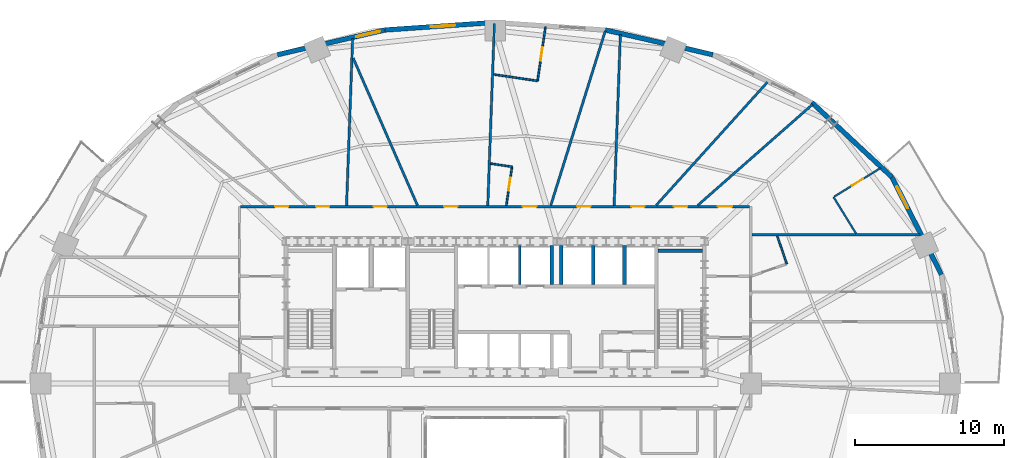
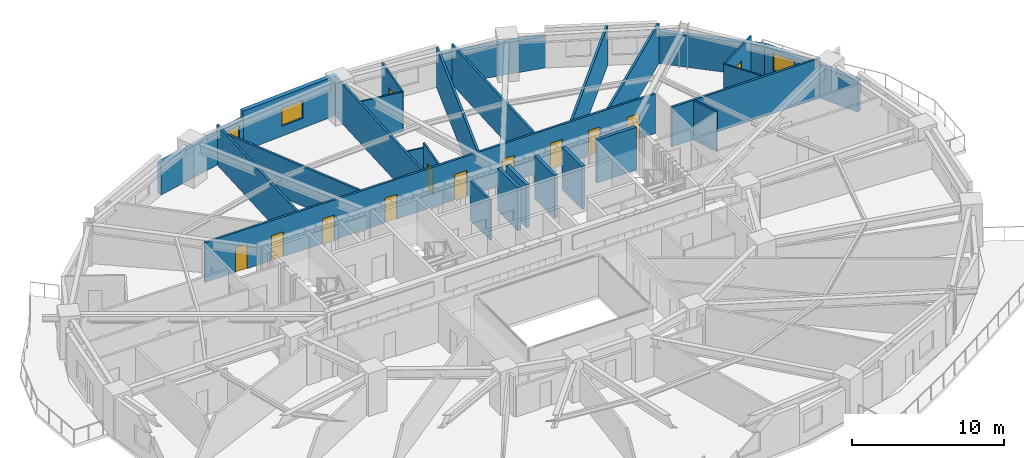
# One storey, part 13 of 18: 27 walls, 12 doors, 3 windows, 15 openings.
"""IFC4 building model written with IfcOpenShell, lengths in metres."""

from ifc_helpers import new_model, si_unit, direction, frame, frame_2d, origin, place, context, subcontext, project, spatial, rectangle, extrude, material, layer, layer_set, type_object, element, fill, save


model = new_model("IFC4")

# Units and contexts
model_context = context("Model", 3, precision=1e-05, world=origin(), true_north=direction((0.0, 1.0)))
body_context = subcontext(model_context, "Body", "Model", "MODEL_VIEW")
ifc_project = project(units=[si_unit("LENGTHUNIT", "METRE"), si_unit("AREAUNIT", "SQUARE_METRE"), si_unit("VOLUMEUNIT", "CUBIC_METRE"), si_unit("PLANEANGLEUNIT", "RADIAN"), si_unit("MASSUNIT", "GRAM", prefix="KILO")], contexts=[model_context])

# Site, building, storey
site_placement = place(None, origin())
site = spatial("IfcSite", under=ifc_project, at=site_placement, CompositionType="ELEMENT")
building_placement = place(site_placement, origin())
building = spatial("IfcBuilding", under=site, at=building_placement, Name="Haldorwick Loom Tower", CompositionType="ELEMENT")
storey_placement = place(building_placement, frame((0.0, 0.0, 41.25)))
storey = spatial("IfcBuildingStorey", under=building, at=storey_placement, Name="L10", CompositionType="ELEMENT", Elevation=41.25)

# Wall, opening, window
ifc_material_1 = material(Name="Pressed Clay Face Brick and Insulated Masonry Backup Assembly", Category="masonry")
ifc_layer_1 = layer(ifc_material_1, 0.320068359375, Name="Pressed Clay Face Brick and Insulated Masonry Backup Assembly", Category="masonry")
ifc_layer_set_1 = layer_set([ifc_layer_1], Name="Pressed Clay Face Brick and Insulated Masonry Backup Assembly")
wall_type_1 = type_object("IfcWallType", Name="ARC-WL-EXT320", PredefinedType="STANDARD", material=ifc_layer_set_1)
wall_1_placement = place(storey_placement, frame((66.021728515625, 33.320556640625, 0.0), z_axis=(0.0, 0.0, 1.0), x_axis=(-0.452950855928, 0.891535485617, 0.0)))
wall_1 = element("IfcWall", 1, at=wall_1_placement, inside=storey, type_object=wall_type_1, Name="L10 Brick Pier and Spandrel Wall 2", PredefinedType="STANDARD", context=body_context, shape_type="SweptSolid", body=[
    extrude(rectangle(XDim=7.3583984375, YDim=0.320068359375, at=frame_2d((3.67919921875, 0.0))), origin(), (0.0, 0.0, 1.0), 2.569091796875),
])
opening_1_placement = place(wall_1_placement, frame((5.00927734375, 0.0, 0.800048828125)))
opening_1 = element("IfcOpeningElement", 2, at=opening_1_placement, cuts=wall_1, Name="Opening W-01B", PredefinedType="OPENING", context=body_context, shape_type="SweptSolid", body=[
    extrude(rectangle(XDim=1.64990234375, YDim=1.449951171875, at=frame_2d((0.824951171875, 0.72509765625))), frame((0.0, 0.169921875, 0.0), z_axis=(0.0, -1.0, 0.0), x_axis=(1.0, 0.0, 0.0)), (0.0, 0.0, 1.0), 0.340087890625),
])
ifc_material_2 = material(Name="Triple-Glazed Low-E Argon Insulated Glazing Unit", Category="glass")
window_type = type_object("IfcWindowType", Name="ARC-WIN-W165", PartitioningType="SINGLE_PANEL", PredefinedType="WINDOW", material=ifc_material_2)
window_1_placement = place(opening_1_placement, origin())
window_1 = element("IfcWindow", 3, at=window_1_placement, inside=storey, type_object=window_type, Name="L10 Deep-Set Zone 7A Window 2", OverallHeight=1.449951171875, OverallWidth=1.64990234375, PartitioningType="SINGLE_PANEL", PredefinedType="WINDOW", context=body_context, shape_type="SweptSolid", body=[
    extrude(rectangle(XDim=1.64990234375, YDim=1.449951171875, at=frame_2d((0.824951171875, 0.72509765625))), frame((0.0, 0.030029296875, 0.0), z_axis=(0.0, -1.0, 0.0), x_axis=(1.0, 0.0, 0.0)), (0.0, 0.0, 1.0), 0.06005859375),
])
fill(opening_1, window_1)

# Walls
wall_2_placement = place(storey_placement, frame((62.688720703125, 39.880859375, 0.0), z_axis=(0.0, 0.0, 1.0), x_axis=(-0.73176101237, 0.681561311091, 0.0)))
element("IfcWall", 4, at=wall_2_placement, inside=storey, type_object=wall_type_1, Name="L10 Brick Pier and Spandrel Wall 3", PredefinedType="STANDARD", context=body_context, shape_type="SweptSolid", body=[
    extrude(rectangle(XDim=7.3583984375, YDim=0.320068359375, at=frame_2d((3.67919921875, 0.0))), origin(), (0.0, 0.0, 1.0), 2.569091796875),
])
wall_3_placement = place(storey_placement, frame((50.644775390625, 48.11572265625, 0.0), z_axis=(0.0, 0.0, 1.0), x_axis=(-0.974522412345, 0.224290142088, 0.0)))
element("IfcWall", 5, at=wall_3_placement, inside=storey, type_object=wall_type_1, Name="L10 Brick Pier and Spandrel Wall 5", PredefinedType="STANDARD", context=body_context, shape_type="SweptSolid", body=[
    extrude(rectangle(XDim=7.422607421875, YDim=0.320068359375, at=frame_2d((3.71142578125, 0.0))), origin(), (0.0, 0.0, 1.0), 2.569091796875),
])

# Wall, opening, window
wall_4_placement = place(storey_placement, frame((36.0, 50.2900390625, 0.0), z_axis=(0.0, 0.0, 1.0), x_axis=(-0.997645161917, -0.068586667092, 0.0)))
wall_4 = element("IfcWall", 6, at=wall_4_placement, inside=storey, type_object=wall_type_1, Name="L10 Brick Pier and Spandrel Wall 7", PredefinedType="STANDARD", context=body_context, shape_type="SweptSolid", body=[
    extrude(rectangle(XDim=7.428955078125, YDim=0.320068359375, at=frame_2d((3.71435546875, 0.0))), origin(), (0.0, 0.0, 1.0), 3.2099609375),
])
opening_2_placement = place(wall_4_placement, frame((2.679443359375, 0.0, 0.800048828125)))
opening_2 = element("IfcOpeningElement", 7, at=opening_2_placement, cuts=wall_4, Name="Opening W-01B", PredefinedType="OPENING", context=body_context, shape_type="SweptSolid", body=[
    extrude(rectangle(XDim=1.64990234375, YDim=1.449951171875, at=frame_2d((0.824951171875, 0.72509765625))), frame((0.0, 0.169921875, 0.0), z_axis=(0.0, -1.0, 0.0), x_axis=(1.0, 0.0, 0.0)), (0.0, 0.0, 1.0), 0.340087890625),
])
window_2_placement = place(opening_2_placement, origin())
window_2 = element("IfcWindow", 8, at=window_2_placement, inside=storey, type_object=window_type, Name="L10 Deep-Set Zone 7A Window 7", OverallHeight=1.449951171875, OverallWidth=1.64990234375, PartitioningType="SINGLE_PANEL", PredefinedType="WINDOW", context=body_context, shape_type="SweptSolid", body=[
    extrude(rectangle(XDim=1.64990234375, YDim=1.449951171875, at=frame_2d((0.824951171875, 0.72509765625))), frame((0.0, 0.030029296875, 0.0), z_axis=(0.0, -1.0, 0.0), x_axis=(1.0, 0.0, 0.0)), (0.0, 0.0, 1.0), 0.06005859375),
])
fill(opening_2, window_2)

wall_5_placement = place(storey_placement, frame((28.588623046875, 49.780517578125, 0.0), z_axis=(0.0, 0.0, 1.0), x_axis=(-0.974522412345, -0.224290142088, 0.0)))
wall_5 = element("IfcWall", 9, at=wall_5_placement, inside=storey, type_object=wall_type_1, Name="L10 Brick Pier and Spandrel Wall 8", PredefinedType="STANDARD", context=body_context, shape_type="SweptSolid", body=[
    extrude(rectangle(XDim=7.422607421875, YDim=0.320068359375, at=frame_2d((3.71142578125, 0.0))), origin(), (0.0, 0.0, 1.0), 2.569091796875),
])
opening_3_placement = place(wall_5_placement, frame((0.340087890625, 0.0, 0.800048828125)))
opening_3 = element("IfcOpeningElement", 10, at=opening_3_placement, cuts=wall_5, Name="Opening W-01B", PredefinedType="OPENING", context=body_context, shape_type="SweptSolid", body=[
    extrude(rectangle(XDim=1.64990234375, YDim=1.449951171875, at=frame_2d((0.824951171875, 0.72509765625))), frame((0.0, 0.169921875, 0.0), z_axis=(0.0, -1.0, 0.0), x_axis=(1.0, 0.0, 0.0)), (0.0, 0.0, 1.0), 0.340087890625),
])
window_3_placement = place(opening_3_placement, origin())
window_3 = element("IfcWindow", 11, at=window_3_placement, inside=storey, type_object=window_type, Name="L10 Deep-Set Zone 7A Window 8", OverallHeight=1.449951171875, OverallWidth=1.64990234375, PartitioningType="SINGLE_PANEL", PredefinedType="WINDOW", context=body_context, shape_type="SweptSolid", body=[
    extrude(rectangle(XDim=1.64990234375, YDim=1.449951171875, at=frame_2d((0.824951171875, 0.72509765625))), frame((0.0, 0.030029296875, 0.0), z_axis=(0.0, -1.0, 0.0), x_axis=(1.0, 0.0, 0.0)), (0.0, 0.0, 1.0), 0.06005859375),
])
fill(opening_3, window_3)

# Wall, openings, doors
ifc_material_3 = material(Name="Fire-Rated Type X Gypsum Stud Assembly EI 60")
ifc_layer_2 = layer(ifc_material_3, 0.159912109375, Name="Fire-Rated Type X Gypsum Stud Assembly EI 60")
ifc_layer_set_2 = layer_set([ifc_layer_2], Name="Fire-Rated Type X Gypsum Stud Assembly EI 60")
wall_type_2 = type_object("IfcWallType", Name="ARC-WL-FIRE160", PredefinedType="PARTITIONING", material=ifc_layer_set_2)
wall_6_placement = place(storey_placement, frame((18.883056640625, 37.89990234375, 0.0), z_axis=(0.0, 0.0, 1.0), x_axis=(1.0, 0.0, 0.0)))
wall_6 = element("IfcWall", 12, at=wall_6_placement, inside=storey, type_object=wall_type_2, Name="L10 Residential Fire Partition L10-CR-N0", PredefinedType="PARTITIONING", context=body_context, shape_type="SweptSolid", body=[
    extrude(rectangle(XDim=34.23388671875, YDim=0.159912109375, at=frame_2d((17.116943359375, 0.0))), origin(), (0.0, 0.0, 1.0), 3.195068359375),
])
opening_4_placement = place(wall_6_placement, frame((13.685302734375, 0.0, 0.0)))
opening_4 = element("IfcOpeningElement", 13, at=opening_4_placement, cuts=wall_6, Name="Opening D-FD60A", PredefinedType="OPENING", context=body_context, shape_type="SweptSolid", body=[
    extrude(rectangle(XDim=0.89990234375, YDim=2.0, at=frame_2d((0.449951171875, 1.0))), frame((0.0, 0.08984375, 0.0), z_axis=(0.0, -1.0, 0.0), x_axis=(1.0, 0.0, 0.0)), (0.0, 0.0, 1.0), 0.179931640625),
])
opening_5_placement = place(wall_6_placement, frame((8.936767578125, 0.0, 0.0)))
opening_5 = element("IfcOpeningElement", 14, at=opening_5_placement, cuts=wall_6, Name="Opening D-FD60A", PredefinedType="OPENING", context=body_context, shape_type="SweptSolid", body=[
    extrude(rectangle(XDim=0.89990234375, YDim=2.0, at=frame_2d((0.449951171875, 1.0))), frame((0.0, 0.08984375, 0.0), z_axis=(0.0, -1.0, 0.0), x_axis=(1.0, 0.0, 0.0)), (0.0, 0.0, 1.0), 0.179931640625),
])
opening_6_placement = place(wall_6_placement, frame((22.63037109375, 0.0, 0.0)))
opening_6 = element("IfcOpeningElement", 15, at=opening_6_placement, cuts=wall_6, Name="Opening D-FD60A", PredefinedType="OPENING", context=body_context, shape_type="SweptSolid", body=[
    extrude(rectangle(XDim=0.89990234375, YDim=2.0, at=frame_2d((0.449951171875, 1.0))), frame((0.0, 0.08984375, 0.0), z_axis=(0.0, -1.0, 0.0), x_axis=(1.0, 0.0, 0.0)), (0.0, 0.0, 1.0), 0.179931640625),
])
opening_7_placement = place(wall_6_placement, frame((32.1025390625, 0.0, 0.0)))
opening_7 = element("IfcOpeningElement", 16, at=opening_7_placement, cuts=wall_6, Name="Opening D-FL95", PredefinedType="OPENING", context=body_context, shape_type="SweptSolid", body=[
    extrude(rectangle(XDim=0.949951171875, YDim=2.0400390625, at=frame_2d((0.47509765625, 1.02001953125))), frame((0.0, 0.08984375, 0.0), z_axis=(0.0, -1.0, 0.0), x_axis=(1.0, 0.0, 0.0)), (0.0, 0.0, 1.0), 0.179931640625),
])
opening_8_placement = place(wall_6_placement, frame((18.961181640625, 0.0, 0.0)))
opening_8 = element("IfcOpeningElement", 17, at=opening_8_placement, cuts=wall_6, Name="Opening D-FL95", PredefinedType="OPENING", context=body_context, shape_type="SweptSolid", body=[
    extrude(rectangle(XDim=0.949951171875, YDim=2.0400390625, at=frame_2d((0.47509765625, 1.02001953125))), frame((0.0, 0.08984375, 0.0), z_axis=(0.0, -1.0, 0.0), x_axis=(1.0, 0.0, 0.0)), (0.0, 0.0, 1.0), 0.179931640625),
])
opening_9_placement = place(wall_6_placement, frame((29.145751953125, 0.0, 0.0)))
opening_9 = element("IfcOpeningElement", 18, at=opening_9_placement, cuts=wall_6, Name="Opening D-FD60A", PredefinedType="OPENING", context=body_context, shape_type="SweptSolid", body=[
    extrude(rectangle(XDim=0.89990234375, YDim=2.0, at=frame_2d((0.449951171875, 1.0))), frame((0.0, 0.08984375, 0.0), z_axis=(0.0, -1.0, 0.0), x_axis=(1.0, 0.0, 0.0)), (0.0, 0.0, 1.0), 0.179931640625),
])
opening_10_placement = place(wall_6_placement, frame((5.071533203125, 0.0, 0.0)))
opening_10 = element("IfcOpeningElement", 19, at=opening_10_placement, cuts=wall_6, Name="Opening D-FD60A", PredefinedType="OPENING", context=body_context, shape_type="SweptSolid", body=[
    extrude(rectangle(XDim=0.89990234375, YDim=2.0, at=frame_2d((0.449951171875, 1.0))), frame((0.0, 0.08984375, 0.0), z_axis=(0.0, -1.0, 0.0), x_axis=(1.0, 0.0, 0.0)), (0.0, 0.0, 1.0), 0.179931640625),
])
opening_11_placement = place(wall_6_placement, frame((26.274658203125, 0.0, 0.0)))
opening_11 = element("IfcOpeningElement", 20, at=opening_11_placement, cuts=wall_6, Name="Opening D-FD60A", PredefinedType="OPENING", context=body_context, shape_type="SweptSolid", body=[
    extrude(rectangle(XDim=0.89990234375, YDim=2.0, at=frame_2d((0.449951171875, 1.0))), frame((0.0, 0.08984375, 0.0), z_axis=(0.0, -1.0, 0.0), x_axis=(1.0, 0.0, 0.0)), (0.0, 0.0, 1.0), 0.179931640625),
])
opening_12_placement = place(wall_6_placement, frame((2.310791015625, 0.0, 0.0)))
opening_12 = element("IfcOpeningElement", 21, at=opening_12_placement, cuts=wall_6, Name="Opening D-FD60A", PredefinedType="OPENING", context=body_context, shape_type="SweptSolid", body=[
    extrude(rectangle(XDim=0.89990234375, YDim=2.0, at=frame_2d((0.449951171875, 1.0))), frame((0.0, 0.08984375, 0.0), z_axis=(0.0, -1.0, 0.0), x_axis=(1.0, 0.0, 0.0)), (0.0, 0.0, 1.0), 0.179931640625),
])
ifc_material_4 = material(Name="Hollow Steel Fire Door Assembly", Category="steel")
door_type_1 = type_object("IfcDoorType", Name="ARC-DR-FD60-90", OperationType="NOTDEFINED", PredefinedType="DOOR", material=ifc_material_4)
door_1_placement = place(opening_4_placement, frame((0.89990234375, 0.0, 0.0), z_axis=(0.0, 0.0, 1.0), x_axis=(-1.0, 0.0, 0.0)))
door_1 = element("IfcDoor", 22, at=door_1_placement, inside=storey, type_object=door_type_1, Name="L10 Community Teaching Classroom 6 to L10 North Residential Corridor Doo", OperationType="SINGLE_SWING_LEFT", OverallHeight=2.0, OverallWidth=0.89990234375, PredefinedType="DOOR", context=body_context, shape_type="SweptSolid", body=[
    extrude(rectangle(XDim=0.89990234375, YDim=2.0, at=frame_2d((0.449951171875, 1.0))), frame((0.0, 0.02490234375, 0.0), z_axis=(0.0, -1.0, 0.0), x_axis=(1.0, 0.0, 0.0)), (0.0, 0.0, 1.0), 0.050048828125),
])
fill(opening_4, door_1)
door_2_placement = place(opening_5_placement, frame((0.89990234375, 0.0, 0.0), z_axis=(0.0, 0.0, 1.0), x_axis=(-1.0, 0.0, 0.0)))
door_2 = element("IfcDoor", 23, at=door_2_placement, inside=storey, type_object=door_type_1, Name="L10 Remote Work Office 9 to L10 North Residential Corridor Door", OperationType="SINGLE_SWING_LEFT", OverallHeight=2.0, OverallWidth=0.89990234375, PredefinedType="DOOR", context=body_context, shape_type="SweptSolid", body=[
    extrude(rectangle(XDim=0.89990234375, YDim=2.0, at=frame_2d((0.449951171875, 1.0))), frame((0.0, 0.02490234375, 0.0), z_axis=(0.0, -1.0, 0.0), x_axis=(1.0, 0.0, 0.0)), (0.0, 0.0, 1.0), 0.050048828125),
])
fill(opening_5, door_2)
door_3_placement = place(opening_6_placement, frame((0.89990234375, 0.0, 0.0), z_axis=(0.0, 0.0, 1.0), x_axis=(-1.0, 0.0, 0.0)))
door_3 = element("IfcDoor", 24, at=door_3_placement, inside=storey, type_object=door_type_1, Name="L10 Remote Work Office 11 to L10 North Residential Corridor Door", OperationType="SINGLE_SWING_RIGHT", OverallHeight=2.0, OverallWidth=0.89990234375, PredefinedType="DOOR", context=body_context, shape_type="SweptSolid", body=[
    extrude(rectangle(XDim=0.89990234375, YDim=2.0, at=frame_2d((0.449951171875, 1.0))), frame((0.0, 0.02490234375, 0.0), z_axis=(0.0, -1.0, 0.0), x_axis=(1.0, 0.0, 0.0)), (0.0, 0.0, 1.0), 0.050048828125),
])
fill(opening_6, door_3)
door_4_placement = place(opening_9_placement, frame((0.89990234375, 0.0, 0.0), z_axis=(0.0, 0.0, 1.0), x_axis=(-1.0, 0.0, 0.0)))
door_4 = element("IfcDoor", 25, at=door_4_placement, inside=storey, type_object=door_type_1, Name="L10 Shared Tea Pantry 22 to L10 North Residential Corridor Door", OperationType="SINGLE_SWING_LEFT", OverallHeight=2.0, OverallWidth=0.89990234375, PredefinedType="DOOR", context=body_context, shape_type="SweptSolid", body=[
    extrude(rectangle(XDim=0.89990234375, YDim=2.0, at=frame_2d((0.449951171875, 1.0))), frame((0.0, 0.02490234375, 0.0), z_axis=(0.0, -1.0, 0.0), x_axis=(1.0, 0.0, 0.0)), (0.0, 0.0, 1.0), 0.050048828125),
])
fill(opening_9, door_4)
door_5_placement = place(opening_10_placement, frame((0.89990234375, 0.0, 0.0), z_axis=(0.0, 0.0, 1.0), x_axis=(-1.0, 0.0, 0.0)))
door_5 = element("IfcDoor", 26, at=door_5_placement, inside=storey, type_object=door_type_1, Name="L10 Community Teaching Classroom 13 to L10 North Residential Corridor Do", OperationType="SINGLE_SWING_RIGHT", OverallHeight=2.0, OverallWidth=0.89990234375, PredefinedType="DOOR", context=body_context, shape_type="SweptSolid", body=[
    extrude(rectangle(XDim=0.89990234375, YDim=2.0, at=frame_2d((0.449951171875, 1.0))), frame((0.0, 0.02490234375, 0.0), z_axis=(0.0, -1.0, 0.0), x_axis=(1.0, 0.0, 0.0)), (0.0, 0.0, 1.0), 0.050048828125),
])
fill(opening_10, door_5)
door_6_placement = place(opening_11_placement, frame((0.89990234375, 0.0, 0.0), z_axis=(0.0, 0.0, 1.0), x_axis=(-1.0, 0.0, 0.0)))
door_6 = element("IfcDoor", 27, at=door_6_placement, inside=storey, type_object=door_type_1, Name="L10 Community Teaching Classroom 14 to L10 North Residential Corridor Do", OperationType="SINGLE_SWING_LEFT", OverallHeight=2.0, OverallWidth=0.89990234375, PredefinedType="DOOR", context=body_context, shape_type="SweptSolid", body=[
    extrude(rectangle(XDim=0.89990234375, YDim=2.0, at=frame_2d((0.449951171875, 1.0))), frame((0.0, 0.02490234375, 0.0), z_axis=(0.0, -1.0, 0.0), x_axis=(1.0, 0.0, 0.0)), (0.0, 0.0, 1.0), 0.050048828125),
])
fill(opening_11, door_6)
door_7_placement = place(opening_12_placement, frame((0.89990234375, 0.0, 0.0), z_axis=(0.0, 0.0, 1.0), x_axis=(-1.0, 0.0, 0.0)))
door_7 = element("IfcDoor", 28, at=door_7_placement, inside=storey, type_object=door_type_1, Name="L10 Shared Tea Pantry 20 to L10 North Residential Corridor Door", OperationType="SINGLE_SWING_RIGHT", OverallHeight=2.0, OverallWidth=0.89990234375, PredefinedType="DOOR", context=body_context, shape_type="SweptSolid", body=[
    extrude(rectangle(XDim=0.89990234375, YDim=2.0, at=frame_2d((0.449951171875, 1.0))), frame((0.0, 0.02490234375, 0.0), z_axis=(0.0, -1.0, 0.0), x_axis=(1.0, 0.0, 0.0)), (0.0, 0.0, 1.0), 0.050048828125),
])
fill(opening_12, door_7)
ifc_material_5 = material(Name="Solid Core Birch Architectural Door")
door_type_2 = type_object("IfcDoorType", Name="ARC-DR-FLAT95", OperationType="NOTDEFINED", PredefinedType="DOOR", material=ifc_material_5)
door_8_placement = place(opening_7_placement, frame((0.949951171875, 0.0, 0.0), z_axis=(0.0, 0.0, 1.0), x_axis=(-1.0, 0.0, 0.0)))
door_8 = element("IfcDoor", 29, at=door_8_placement, inside=storey, type_object=door_type_2, Name="L10 Unit 10E Kitchen and Studio Living Room to L10 North Residential Cor", OperationType="SINGLE_SWING_RIGHT", OverallHeight=2.0400390625, OverallWidth=0.949951171875, PredefinedType="DOOR", context=body_context, shape_type="SweptSolid", body=[
    extrude(rectangle(XDim=0.949951171875, YDim=2.0400390625, at=frame_2d((0.47509765625, 1.02001953125))), frame((0.0, 0.02490234375, 0.0), z_axis=(0.0, -1.0, 0.0), x_axis=(1.0, 0.0, 0.0)), (0.0, 0.0, 1.0), 0.050048828125),
])
fill(opening_7, door_8)
door_9_placement = place(opening_8_placement, frame((0.949951171875, 0.0, 0.0), z_axis=(0.0, 0.0, 1.0), x_axis=(-1.0, 0.0, 0.0)))
door_9 = element("IfcDoor", 30, at=door_9_placement, inside=storey, type_object=door_type_2, Name="L10 Unit 10G Kitchen and Living Room to L10 North Residential Corridor D", OperationType="SINGLE_SWING_RIGHT", OverallHeight=2.0400390625, OverallWidth=0.949951171875, PredefinedType="DOOR", context=body_context, shape_type="SweptSolid", body=[
    extrude(rectangle(XDim=0.949951171875, YDim=2.0400390625, at=frame_2d((0.47509765625, 1.02001953125))), frame((0.0, 0.02490234375, 0.0), z_axis=(0.0, -1.0, 0.0), x_axis=(1.0, 0.0, 0.0)), (0.0, 0.0, 1.0), 0.050048828125),
])
fill(opening_8, door_9)

# Walls
wall_7_placement = place(storey_placement, frame((26.0029296875, 37.98291015625, 0.0), z_axis=(0.0, 0.0, 1.0), x_axis=(0.036390507354, 0.999337646131, 0.0)))
element("IfcWall", 31, at=wall_7_placement, inside=storey, type_object=wall_type_2, Name="L10 Residential Fire Partition L10-UPN-12", PredefinedType="PARTITIONING", context=body_context, shape_type="SweptSolid", body=[
    extrude(rectangle(XDim=11.2373046875, YDim=0.159912109375, at=frame_2d((5.61865234375, 0.0))), origin(), (0.0, 0.0, 1.0), 3.195068359375),
])
wall_8_placement = place(storey_placement, frame((35.5029296875, 37.98291015625, 0.0), z_axis=(0.0, 0.0, 1.0), x_axis=(0.036382694768, 0.999337930593, 0.0)))
element("IfcWall", 32, at=wall_8_placement, inside=storey, type_object=wall_type_2, Name="L10 Residential Fire Partition L10-UPN-13", PredefinedType="PARTITIONING", context=body_context, shape_type="SweptSolid", body=[
    extrude(rectangle(XDim=12.246337890625, YDim=0.159912109375, at=frame_2d((6.123046875, 0.0))), origin(), (0.0, 0.0, 1.0), 3.195068359375),
])
wall_9_placement = place(storey_placement, frame((44.0029296875, 37.98291015625, 0.0), z_axis=(0.0, 0.0, 1.0), x_axis=(0.036368899796, 0.999338432728, 0.0)))
element("IfcWall", 33, at=wall_9_placement, inside=storey, type_object=wall_type_2, Name="L10 Residential Fire Partition L10-UPN-14", PredefinedType="PARTITIONING", context=body_context, shape_type="SweptSolid", body=[
    extrude(rectangle(XDim=11.505859375, YDim=0.159912109375, at=frame_2d((5.7529296875, 0.0))), origin(), (0.0, 0.0, 1.0), 3.195068359375),
])
wall_10_placement = place(storey_placement, frame((53.282958984375, 36.0, 0.0), z_axis=(0.0, 0.0, 1.0), x_axis=(1.0, 0.0, 0.0)))
element("IfcWall", 34, at=wall_10_placement, inside=storey, type_object=wall_type_2, Name="L10 Residential Fire Partition L10-FLE-18", PredefinedType="PARTITIONING", context=body_context, shape_type="SweptSolid", body=[
    extrude(rectangle(XDim=11.3046875, YDim=0.159912109375, at=frame_2d((5.65234375, 0.0))), origin(), (0.0, 0.0, 1.0), 3.195068359375),
])
wall_11_placement = place(storey_placement, frame((49.6298828125, 37.98291015625, 0.0), z_axis=(0.0, 0.0, 1.0), x_axis=(0.75101886285, 0.660280749109, 0.0)))
element("IfcWall", 35, at=wall_11_placement, inside=storey, type_object=wall_type_2, Name="L10 Suite Split Wall", PredefinedType="PARTITIONING", context=body_context, shape_type="SweptSolid", body=[
    extrude(rectangle(XDim=10.275390625, YDim=0.159912109375, at=frame_2d((5.1376953125, 0.0))), origin(), (0.0, 0.0, 1.0), 3.195068359375),
])
wall_12_placement = place(storey_placement, frame((30.7705078125, 37.98291015625, 0.0), z_axis=(0.0, 0.0, 1.0), x_axis=(-0.399972741416, 0.91652703513, 0.0)))
element("IfcWall", 36, at=wall_12_placement, inside=storey, type_object=wall_type_2, Name="L10 Suite Split Wall", PredefinedType="PARTITIONING", context=body_context, shape_type="SweptSolid", body=[
    extrude(rectangle(XDim=10.81005859375, YDim=0.159912109375, at=frame_2d((5.405029296875, 0.0))), origin(), (0.0, 0.0, 1.0), 3.195068359375),
])
wall_13_placement = place(storey_placement, frame((39.742919921875, 37.98291015625, 0.0), z_axis=(0.0, 0.0, 1.0), x_axis=(0.298120035283, 0.954528388558, 0.0)))
element("IfcWall", 37, at=wall_13_placement, inside=storey, type_object=wall_type_2, Name="L10 Suite Split Wall", PredefinedType="PARTITIONING", context=body_context, shape_type="SweptSolid", body=[
    extrude(rectangle(XDim=12.29052734375, YDim=0.159912109375, at=frame_2d((6.145263671875, 0.0))), origin(), (0.0, 0.0, 1.0), 3.195068359375),
])
wall_14_placement = place(storey_placement, frame((46.827880859375, 37.98291015625, 0.0), z_axis=(0.0, 0.0, 1.0), x_axis=(0.670436929303, 0.741966524734, 0.0)))
element("IfcWall", 38, at=wall_14_placement, inside=storey, type_object=wall_type_2, Name="L10 Suite Split Wall", PredefinedType="PARTITIONING", context=body_context, shape_type="SweptSolid", body=[
    extrude(rectangle(XDim=11.167724609375, YDim=0.159912109375, at=frame_2d((5.583984375, 0.0))), origin(), (0.0, 0.0, 1.0), 3.195068359375),
])
ifc_material_6 = material(Name="Acoustic Gypsum Stud Assembly STC 55")
ifc_layer_3 = layer(ifc_material_6, 0.1201171875, Name="Acoustic Gypsum Stud Assembly STC 55")
ifc_layer_set_3 = layer_set([ifc_layer_3], Name="Acoustic Gypsum Stud Assembly STC 55")
wall_type_3 = type_object("IfcWallType", Name="ARC-WL-PART120", PredefinedType="PARTITIONING", material=ifc_layer_set_3)
wall_15_placement = place(storey_placement, frame((55.62060546875, 34.037353515625, 0.0), z_axis=(0.0, 0.0, 1.0), x_axis=(-0.325021407857, 0.945706658766, 0.0)))
element("IfcWall", 39, at=wall_15_placement, inside=storey, type_object=wall_type_3, Name="L10 Unit 10C Interior Partition", PredefinedType="PARTITIONING", context=body_context, shape_type="SweptSolid", body=[
    extrude(rectangle(XDim=1.987548828125, YDim=0.1201171875, at=frame_2d((0.99365234375, 0.0))), origin(), (0.0, 0.0, 1.0), 3.195068359375),
])
wall_16_placement = place(storey_placement, frame((60.2763671875, 36.0830078125, 0.0), z_axis=(0.0, 0.0, 1.0), x_axis=(-0.524795751414, 0.851228182862, 0.0)))
element("IfcWall", 40, at=wall_16_placement, inside=storey, type_object=wall_type_3, Name="L10 Unit 10E Interior Partition", PredefinedType="PARTITIONING", context=body_context, shape_type="SweptSolid", body=[
    extrude(rectangle(XDim=2.88623046875, YDim=0.1201171875, at=frame_2d((1.443115234375, 0.0))), origin(), (0.0, 0.0, 1.0), 3.195068359375),
])

# Wall, opening, door
wall_17_placement = place(storey_placement, frame((58.8154296875, 38.57275390625, 0.0), z_axis=(0.0, 0.0, 1.0), x_axis=(0.851250755526, 0.524759136382, 0.0)))
wall_17 = element("IfcWall", 41, at=wall_17_placement, inside=storey, type_object=wall_type_3, Name="L10 Unit 10E Interior Partition", PredefinedType="PARTITIONING", context=body_context, shape_type="SweptSolid", body=[
    extrude(rectangle(XDim=3.663330078125, YDim=0.1201171875, at=frame_2d((1.83154296875, 0.0))), origin(), (0.0, 0.0, 1.0), 3.195068359375),
])
opening_13_placement = place(wall_17_placement, frame((1.3916015625, 0.0, 0.0)))
opening_13 = element("IfcOpeningElement", 42, at=opening_13_placement, cuts=wall_17, Name="Opening D-BT88", PredefinedType="OPENING", context=body_context, shape_type="SweptSolid", body=[
    extrude(rectangle(XDim=0.8798828125, YDim=2.02001953125, at=frame_2d((0.43994140625, 1.010009765625))), frame((0.0, 0.070068359375, 0.0), z_axis=(0.0, -1.0, 0.0), x_axis=(1.0, 0.0, 0.0)), (0.0, 0.0, 1.0), 0.14013671875),
])
door_type_3 = type_object("IfcDoorType", Name="ARC-DR-BATH88", OperationType="NOTDEFINED", PredefinedType="DOOR", material=ifc_material_5)
door_10_placement = place(opening_13_placement, origin())
door_10 = element("IfcDoor", 43, at=door_10_placement, inside=storey, type_object=door_type_3, Name="L10 Unit 10E Kitchen and Studio Living Room to Unit 10E Bathroom Door", OperationType="SINGLE_SWING_LEFT", OverallHeight=2.02001953125, OverallWidth=0.8798828125, PredefinedType="DOOR", context=body_context, shape_type="SweptSolid", body=[
    extrude(rectangle(XDim=0.8798828125, YDim=2.02001953125, at=frame_2d((0.43994140625, 1.010009765625))), frame((0.0, 0.02490234375, 0.0), z_axis=(0.0, -1.0, 0.0), x_axis=(1.0, 0.0, 0.0)), (0.0, 0.0, 1.0), 0.050048828125),
])
fill(opening_13, door_10)

# Wall
wall_18_placement = place(storey_placement, frame((37.133544921875, 40.577392578125, 0.0), z_axis=(0.0, 0.0, 1.0), x_axis=(-0.989325147552, 0.145724920383, 0.0)))
element("IfcWall", 44, at=wall_18_placement, inside=storey, type_object=wall_type_3, Name="L10 Unit 10G Interior Partition", PredefinedType="PARTITIONING", context=body_context, shape_type="SweptSolid", body=[
    extrude(rectangle(XDim=1.4609375, YDim=0.1201171875, at=frame_2d((0.73046875, 0.0))), origin(), (0.0, 0.0, 1.0), 2.826904296875),
])

# Wall, opening, door
wall_19_placement = place(storey_placement, frame((36.75146484375, 37.98291015625, 0.0), z_axis=(0.0, 0.0, 1.0), x_axis=(0.145694998844, 0.989329554452, 0.0)))
wall_19 = element("IfcWall", 45, at=wall_19_placement, inside=storey, type_object=wall_type_3, Name="L10 Unit 10G Interior Partition", PredefinedType="PARTITIONING", context=body_context, shape_type="SweptSolid", body=[
    extrude(rectangle(XDim=2.62255859375, YDim=0.1201171875, at=frame_2d((1.311279296875, 0.0))), origin(), (0.0, 0.0, 1.0), 3.195068359375),
])
opening_14_placement = place(wall_19_placement, frame((0.9892578125, 0.0, 0.0)))
opening_14 = element("IfcOpeningElement", 46, at=opening_14_placement, cuts=wall_19, Name="Opening D-BT88", PredefinedType="OPENING", context=body_context, shape_type="SweptSolid", body=[
    extrude(rectangle(XDim=0.8798828125, YDim=2.02001953125, at=frame_2d((0.43994140625, 1.010009765625))), frame((0.0, 0.070068359375, 0.0), z_axis=(0.0, -1.0, 0.0), x_axis=(1.0, 0.0, 0.0)), (0.0, 0.0, 1.0), 0.14013671875),
])
door_11_placement = place(opening_14_placement, origin())
door_11 = element("IfcDoor", 47, at=door_11_placement, inside=storey, type_object=door_type_3, Name="L10 Unit 10G Bathroom to Unit 10G Kitchen and Living Room Door", OperationType="SINGLE_SWING_RIGHT", OverallHeight=2.02001953125, OverallWidth=0.8798828125, PredefinedType="DOOR", context=body_context, shape_type="SweptSolid", body=[
    extrude(rectangle(XDim=0.8798828125, YDim=2.02001953125, at=frame_2d((0.43994140625, 1.010009765625))), frame((0.0, 0.02490234375, 0.0), z_axis=(0.0, -1.0, 0.0), x_axis=(1.0, 0.0, 0.0)), (0.0, 0.0, 1.0), 0.050048828125),
])
fill(opening_14, door_11)

# Wall
wall_20_placement = place(storey_placement, frame((38.8505859375, 46.352783203125, 0.0), z_axis=(0.0, 0.0, 1.0), x_axis=(-0.989316370955, 0.145784492179, 0.0)))
element("IfcWall", 48, at=wall_20_placement, inside=storey, type_object=wall_type_3, Name="L10 Unit 10G Interior Partition", PredefinedType="PARTITIONING", context=body_context, shape_type="SweptSolid", body=[
    extrude(rectangle(XDim=2.975830078125, YDim=0.1201171875, at=frame_2d((1.48779296875, 0.0))), origin(), (0.0, 0.0, 1.0), 3.195068359375),
])

# Wall, opening, door
wall_21_placement = place(storey_placement, frame((38.8505859375, 46.352783203125, 0.0), z_axis=(0.0, 0.0, 1.0), x_axis=(0.145750026983, 0.989321449092, 0.0)))
wall_21 = element("IfcWall", 49, at=wall_21_placement, inside=storey, type_object=wall_type_3, Name="L10 Unit 10G Interior Partition", PredefinedType="PARTITIONING", context=body_context, shape_type="SweptSolid", body=[
    extrude(rectangle(XDim=3.678466796875, YDim=0.1201171875, at=frame_2d((1.83935546875, 0.0))), origin(), (0.0, 0.0, 1.0), 3.195068359375),
])
opening_15_placement = place(wall_21_placement, frame((1.38916015625, 0.0, 0.0)))
opening_15 = element("IfcOpeningElement", 50, at=opening_15_placement, cuts=wall_21, Name="Opening D-IN90", PredefinedType="OPENING", context=body_context, shape_type="SweptSolid", body=[
    extrude(rectangle(XDim=0.89990234375, YDim=2.0400390625, at=frame_2d((0.449951171875, 1.02001953125))), frame((0.0, 0.070068359375, 0.0), z_axis=(0.0, -1.0, 0.0), x_axis=(1.0, 0.0, 0.0)), (0.0, 0.0, 1.0), 0.14013671875),
])
door_type_4 = type_object("IfcDoorType", Name="ARC-DR-INT90", OperationType="NOTDEFINED", PredefinedType="DOOR", material=ifc_material_5)
door_12_placement = place(opening_15_placement, origin())
door_12 = element("IfcDoor", 51, at=door_12_placement, inside=storey, type_object=door_type_4, Name="L10 Unit 10G Bedroom 1 to Unit 10G Kitchen and Living Room Door", OperationType="SINGLE_SWING_RIGHT", OverallHeight=2.0400390625, OverallWidth=0.89990234375, PredefinedType="DOOR", context=body_context, shape_type="SweptSolid", body=[
    extrude(rectangle(XDim=0.89990234375, YDim=2.0400390625, at=frame_2d((0.449951171875, 1.02001953125))), frame((0.0, 0.02490234375, 0.0), z_axis=(0.0, -1.0, 0.0), x_axis=(1.0, 0.0, 0.0)), (0.0, 0.0, 1.0), 0.050048828125),
])
fill(opening_15, door_12)

# Walls
ifc_material_7 = material(Name="Fire-Rated Type X Gypsum Stud Assembly EI 120")
ifc_layer_4 = layer(ifc_material_7, 0.1650390625, Name="Fire-Rated Type X Gypsum Stud Assembly EI 120")
ifc_layer_set_4 = layer_set([ifc_layer_4], Name="Fire-Rated Type X Gypsum Stud Assembly EI 120")
wall_type_4 = type_object("IfcWallType", Name="ARC-WL-SHAFT160", PredefinedType="MOVABLE", material=ifc_layer_set_4)
wall_22_placement = place(storey_placement, frame((37.64990234375, 32.673095703125, 0.0), z_axis=(0.0, 0.0, 1.0), x_axis=(0.0, 1.0, 0.0)))
element("IfcWall", 52, at=wall_22_placement, inside=storey, type_object=wall_type_4, Name="L10 Low-Rise Hoistway Divider 2", PredefinedType="MOVABLE", context=body_context, shape_type="SweptSolid", body=[
    extrude(rectangle(XDim=2.6240234375, YDim=0.159912109375, at=frame_2d((1.31201171875, 0.0))), origin(), (0.0, 0.0, 1.0), 3.195068359375),
])
ifc_material_8 = material(Name="Concrete C50 (50 MPa)", Category="concrete")
ifc_layer_5 = layer(ifc_material_8, 0.239990234375, Name="Concrete C50 (50 MPa)", Category="concrete")
ifc_layer_set_5 = layer_set([ifc_layer_5], Name="Concrete C50 (50 MPa)")
wall_type_5 = type_object("IfcWallType", Name="STR-WL-SHAFT240", PredefinedType="SHEAR", material=ifc_layer_set_5)
wall_23_placement = place(storey_placement, frame((46.952880859375, 34.919921875, 0.0), z_axis=(0.0, 0.0, 1.0), x_axis=(1.0, 0.0, 0.0)))
element("IfcWall", 53, at=wall_23_placement, inside=storey, type_object=wall_type_5, Name="L10 Core Shear Wall 4N", PredefinedType="SHEAR", context=body_context, shape_type="SweptSolid", body=[
    extrude(rectangle(XDim=2.994140625, YDim=0.239990234375, at=frame_2d((1.4970703125, 0.0))), origin(), (0.0, 0.0, 1.0), 3.449951171875),
])
for number, where, z_axis, x_axis, name in (
    (54, (39.800048828125, 32.673095703125, 0.0), (0.0, 0.0, 1.0), (0.0, 1.0, 0.0), "L10 Core Shear Wall LHW"),
    (55, (40.449951171875, 32.673095703125, 0.0), (0.0, 0.0, 1.0), (0.0, 1.0, 0.0), "L10 Core Shear Wall H0"),
    (56, (42.60009765625, 32.673095703125, 0.0), (0.0, 0.0, 1.0), (0.0, 1.0, 0.0), "L10 Core Shear Wall H1"),
    (57, (44.699951171875, 32.673095703125, 0.0), (0.0, 0.0, 1.0), (0.0, 1.0, 0.0), "L10 Core Shear Wall H2"),
):
    element("IfcWall", number, at=place(storey_placement, frame(where, z_axis=z_axis, x_axis=x_axis)), inside=storey, type_object=wall_type_5, Name=name, PredefinedType="SHEAR", context=body_context, shape_type="SweptSolid", body=[
        extrude(rectangle(XDim=2.6240234375, YDim=0.239990234375, at=frame_2d((1.31201171875, 0.0))), origin(), (0.0, 0.0, 1.0), 3.449951171875),
    ])

save(model, "model.ifc")
